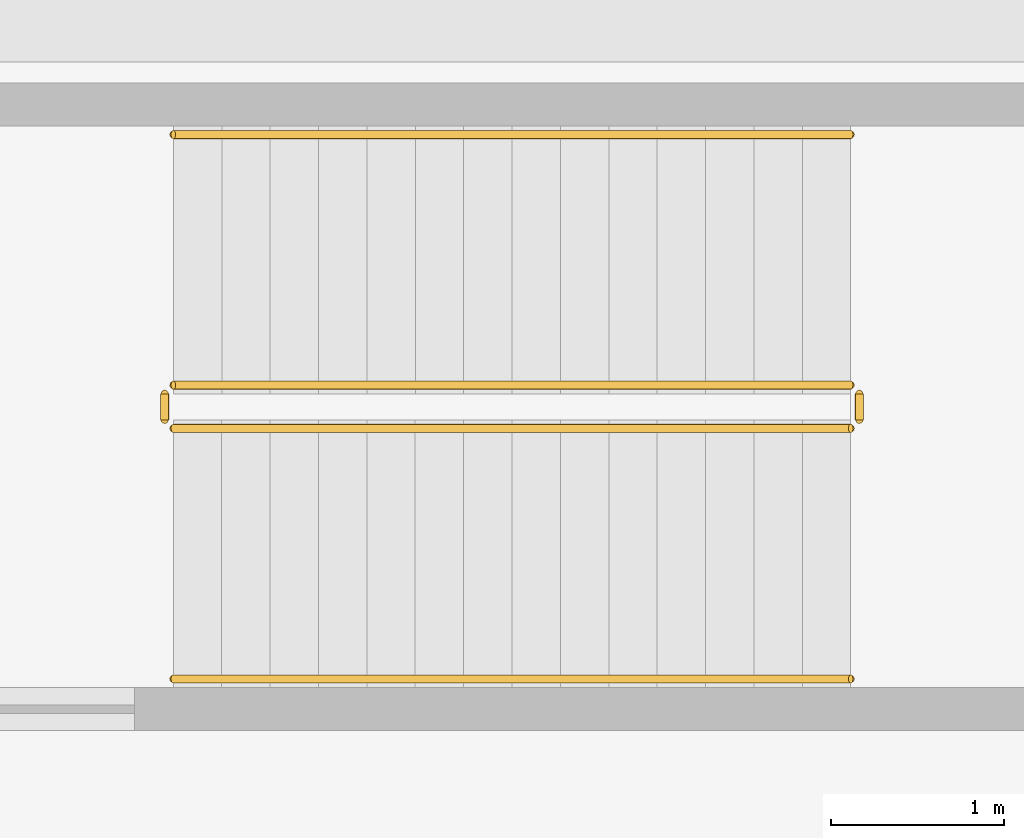
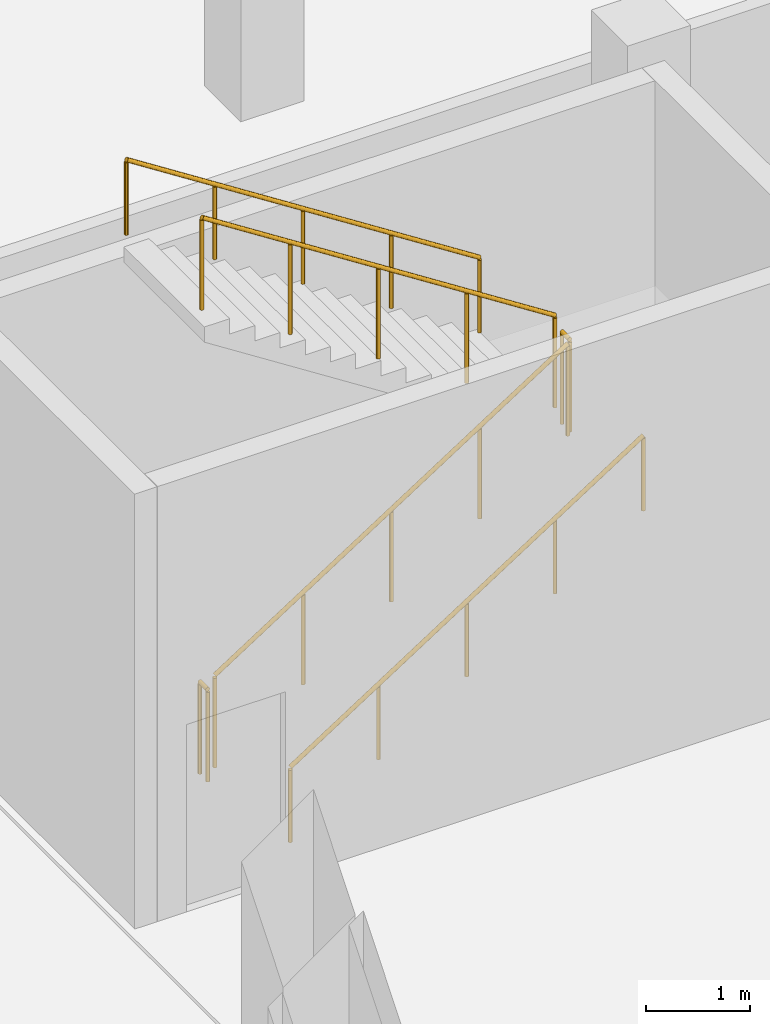
# One storey, part 370 of 372: 6 railings.
"""IFC4 building model written with IfcOpenShell, lengths in metres."""

from ifc_helpers import new_model, si_unit, direction, frame, origin, origin_2d, place, context, subcontext, project, spatial, circle, extrude, material, type_object, element, save


model = new_model("IFC4")

# Units and contexts
model_context = context("Model", 3, precision=1e-05, world=origin(), true_north=direction((0.0, 1.0)))
body_context = subcontext(model_context, "Body", "Model", "MODEL_VIEW")
ifc_project = project(units=[si_unit("LENGTHUNIT", "METRE"), si_unit("AREAUNIT", "SQUARE_METRE"), si_unit("VOLUMEUNIT", "CUBIC_METRE"), si_unit("PLANEANGLEUNIT", "RADIAN"), si_unit("MASSUNIT", "GRAM", prefix="KILO")], contexts=[model_context])

# Site, building, storey
site_placement = place(None, origin())
site = spatial("IfcSite", under=ifc_project, at=site_placement, CompositionType="ELEMENT")
building_placement = place(site_placement, origin())
building = spatial("IfcBuilding", under=site, at=building_placement, Name="Kaelora Sail Theatre", CompositionType="ELEMENT")
storey_placement = place(building_placement, origin())
storey = spatial("IfcBuildingStorey", under=building, at=storey_placement, Name="L00", CompositionType="ELEMENT", Elevation=0.0)

# Railings
ifc_material_1 = material(Name="Painted steel and laminated safety glass guard", Category="steel")
railing_type_1 = type_object("IfcRailingType", Name="ARC-RL-GRD", PredefinedType="GUARDRAIL", material=ifc_material_1)
railing_1_placement = place(storey_placement, frame((100.699951171875, 95.85009765625, 0.179931640625)))
element("IfcRailing", 1, at=railing_1_placement, inside=storey, type_object=railing_type_1, Name="L00 ST-K4 stair guard 1", PredefinedType="GUARDRAIL", context=body_context, shape_type="SweptSolid", body=[
    extrude(circle(Radius=0.02392578125, at=origin_2d()), frame((0.0, 0.0, 1.076171875), z_axis=(0.841186985886, 0.0, 0.540744352514), x_axis=(0.0, 1.0, 0.0)), (0.0, 0.0, 1.0), 4.660400390625),
    extrude(circle(Radius=0.02099609375, at=origin_2d()), origin(), (0.0, 0.0, 1.0), 1.052001953125),
    extrude(circle(Radius=0.02099609375, at=origin_2d()), frame((0.97998046875, 0.0, 0.6298828125)), (0.0, 0.0, 1.0), 1.052001953125),
    extrude(circle(Radius=0.02099609375, at=origin_2d()), frame((1.9599609375, 0.0, 1.260009765625)), (0.0, 0.0, 1.0), 1.052001953125),
    extrude(circle(Radius=0.02099609375, at=origin_2d()), frame((2.940185546875, 0.0, 1.89013671875)), (0.0, 0.0, 1.0), 1.052001953125),
    extrude(circle(Radius=0.02099609375, at=origin_2d()), frame((3.920166015625, 0.0, 2.52001953125)), (0.0, 0.0, 1.0), 1.052001953125),
])
railing_2_placement = place(storey_placement, frame((104.669921875, 95.89990234375, 2.699951171875)))
element("IfcRailing", 2, at=railing_2_placement, inside=storey, type_object=railing_type_1, Name="L00 ST-K4 stair guard 2", PredefinedType="GUARDRAIL", context=body_context, shape_type="SweptSolid", body=[
    extrude(circle(Radius=0.02392578125, at=origin_2d()), frame((0.0, 0.0, 1.076171875), z_axis=(0.0, 1.0, 0.0), x_axis=(-1.0, 0.0, 0.0)), (0.0, 0.0, 1.0), 0.150146484375),
    extrude(circle(Radius=0.02099609375, at=origin_2d()), origin(), (0.0, 0.0, 1.0), 1.052001953125),
    extrude(circle(Radius=0.02099609375, at=origin_2d()), frame((0.0, 0.150146484375, 0.0)), (0.0, 0.0, 1.0), 1.052001953125),
])
railing_3_placement = place(storey_placement, frame((104.6201171875, 96.10009765625, 2.8798828125)))
element("IfcRailing", 3, at=railing_3_placement, inside=storey, type_object=railing_type_1, Name="L00 ST-K4 stair guard 3", PredefinedType="GUARDRAIL", context=body_context, shape_type="SweptSolid", body=[
    extrude(circle(Radius=0.02392578125, at=origin_2d()), frame((0.0, 0.0, 1.076171875), z_axis=(-0.841186985886, 0.0, 0.540744352514), x_axis=(0.0, -1.0, 0.0)), (0.0, 0.0, 1.0), 4.660400390625),
    extrude(circle(Radius=0.02099609375, at=origin_2d()), origin(), (0.0, 0.0, 1.0), 1.052001953125),
    extrude(circle(Radius=0.02099609375, at=origin_2d()), frame((-0.97998046875, 0.0, 0.6298828125)), (0.0, 0.0, 1.0), 1.052001953125),
    extrude(circle(Radius=0.02099609375, at=origin_2d()), frame((-1.9599609375, 0.0, 1.260009765625)), (0.0, 0.0, 1.0), 1.052001953125),
    extrude(circle(Radius=0.02099609375, at=origin_2d()), frame((-2.940185546875, 0.0, 1.89013671875)), (0.0, 0.0, 1.0), 1.052001953125),
    extrude(circle(Radius=0.02099609375, at=origin_2d()), frame((-3.920166015625, 0.0, 2.52001953125)), (0.0, 0.0, 1.0), 1.052001953125),
])
railing_4_placement = place(storey_placement, frame((100.64990234375, 95.89990234375, 0.0)))
element("IfcRailing", 4, at=railing_4_placement, inside=storey, type_object=railing_type_1, Name="L00 ST-K4 stair guard 4", PredefinedType="GUARDRAIL", context=body_context, shape_type="SweptSolid", body=[
    extrude(circle(Radius=0.02392578125, at=origin_2d()), frame((0.0, 0.0, 1.076171875), z_axis=(0.0, 1.0, 0.0), x_axis=(-1.0, 0.0, 0.0)), (0.0, 0.0, 1.0), 0.150146484375),
    extrude(circle(Radius=0.02099609375, at=origin_2d()), origin(), (0.0, 0.0, 1.0), 1.052001953125),
    extrude(circle(Radius=0.02099609375, at=origin_2d()), frame((0.0, 0.150146484375, 0.0)), (0.0, 0.0, 1.0), 1.052001953125),
])
ifc_material_2 = material(Name="Brushed stainless steel 316L tubular handrail", Category="steel")
railing_type_2 = type_object("IfcRailingType", Name="ARC-RL-HND", PredefinedType="HANDRAIL", material=ifc_material_2)
railing_5_placement = place(storey_placement, frame((100.699951171875, 94.39990234375, 0.179931640625)))
element("IfcRailing", 5, at=railing_5_placement, inside=storey, type_object=railing_type_2, Name="L00 ST-K4 stair handrail 1", PredefinedType="HANDRAIL", context=body_context, shape_type="SweptSolid", body=[
    extrude(circle(Radius=0.02392578125, at=origin_2d()), frame((0.0, 0.0, 0.8759765625), z_axis=(0.841186985886, 0.0, 0.540744352514), x_axis=(0.0, 1.0, 0.0)), (0.0, 0.0, 1.0), 4.660400390625),
    extrude(circle(Radius=0.02099609375, at=origin_2d()), origin(), (0.0, 0.0, 1.0), 0.851806640625),
    extrude(circle(Radius=0.02099609375, at=origin_2d()), frame((0.97998046875, 0.0, 0.6298828125)), (0.0, 0.0, 1.0), 0.851806640625),
    extrude(circle(Radius=0.02099609375, at=origin_2d()), frame((1.9599609375, 0.0, 1.260009765625)), (0.0, 0.0, 1.0), 0.851806640625),
    extrude(circle(Radius=0.02099609375, at=origin_2d()), frame((2.940185546875, 0.0, 1.89013671875)), (0.0, 0.0, 1.0), 0.851806640625),
    extrude(circle(Radius=0.02099609375, at=origin_2d()), frame((3.920166015625, 0.0, 2.52001953125)), (0.0, 0.0, 1.0), 0.851806640625),
])
railing_6_placement = place(storey_placement, frame((104.6201171875, 97.550048828125, 2.8798828125)))
element("IfcRailing", 6, at=railing_6_placement, inside=storey, type_object=railing_type_2, Name="L00 ST-K4 stair handrail 2", PredefinedType="HANDRAIL", context=body_context, shape_type="SweptSolid", body=[
    extrude(circle(Radius=0.02392578125, at=origin_2d()), frame((0.0, 0.0, 0.8759765625), z_axis=(-0.841186985886, 0.0, 0.540744352514), x_axis=(0.0, -1.0, 0.0)), (0.0, 0.0, 1.0), 4.660400390625),
    extrude(circle(Radius=0.02099609375, at=origin_2d()), origin(), (0.0, 0.0, 1.0), 0.851806640625),
    extrude(circle(Radius=0.02099609375, at=origin_2d()), frame((-0.97998046875, 0.0, 0.6298828125)), (0.0, 0.0, 1.0), 0.851806640625),
    extrude(circle(Radius=0.02099609375, at=origin_2d()), frame((-1.9599609375, 0.0, 1.260009765625)), (0.0, 0.0, 1.0), 0.851806640625),
    extrude(circle(Radius=0.02099609375, at=origin_2d()), frame((-2.940185546875, 0.0, 1.89013671875)), (0.0, 0.0, 1.0), 0.851806640625),
    extrude(circle(Radius=0.02099609375, at=origin_2d()), frame((-3.920166015625, 0.0, 2.52001953125)), (0.0, 0.0, 1.0), 0.851806640625),
])

save(model, "model.ifc")
